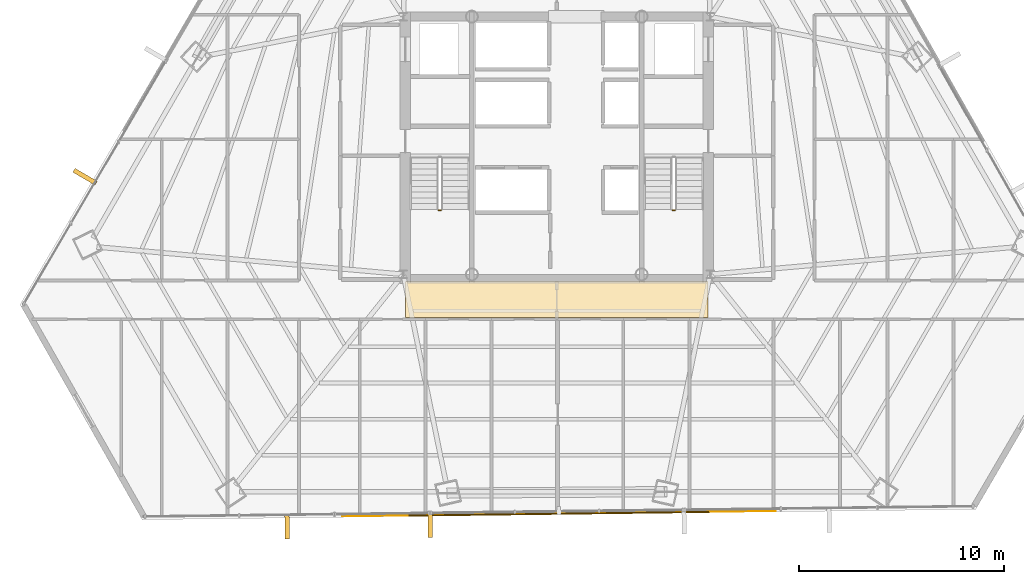
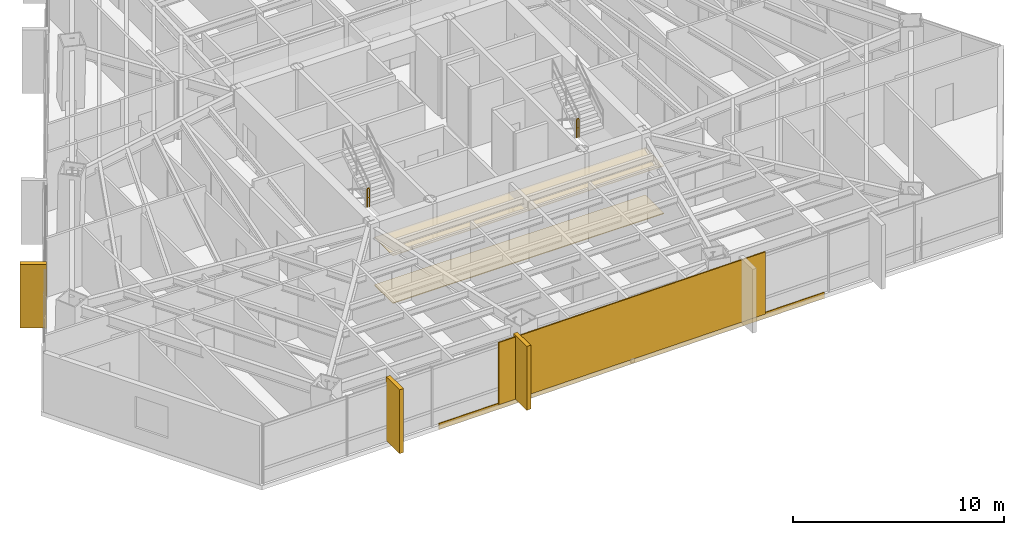
# One storey, part 33 of 35: 6 coverings, 2 railings, 1 shading device.
"""IFC4 building model written with IfcOpenShell, lengths in metres."""

from ifc_helpers import new_model, si_unit, direction, frame, origin, origin_2d, place, context, subcontext, project, spatial, polyline, rectangle, outline, extrude, source, transform, mapped, material, layer, layer_set, type_object, type_shapes, element, save


model = new_model("IFC4")

# Units and contexts
model_context = context("Model", 3, precision=1e-05, world=origin(), true_north=direction((0.0, 1.0)))
body_context = subcontext(model_context, "Body", "Model", "MODEL_VIEW")
ifc_project = project(units=[si_unit("LENGTHUNIT", "METRE"), si_unit("AREAUNIT", "SQUARE_METRE"), si_unit("VOLUMEUNIT", "CUBIC_METRE"), si_unit("PLANEANGLEUNIT", "RADIAN"), si_unit("MASSUNIT", "GRAM", prefix="KILO")], contexts=[model_context])

# Site, building, storey
site_placement = place(None, origin())
site = spatial("IfcSite", under=ifc_project, at=site_placement, CompositionType="ELEMENT")
building_placement = place(site_placement, origin())
building = spatial("IfcBuilding", under=site, at=building_placement, Name="Caelisora Broadcast Tower", CompositionType="ELEMENT")
storey_placement = place(building_placement, frame((0.0, 0.0, 123.64990234375)))
storey = spatial("IfcBuildingStorey", under=building, at=storey_placement, Name="L32", CompositionType="ELEMENT", Elevation=123.64990234375)

# Coverings
ifc_material_1 = material(Name="Perforated Mineral-Fibre Acoustic Ceiling Tile", Category="gypsum")
ifc_layer_1 = layer(ifc_material_1, 0.034912109375, Name="Perforated Mineral-Fibre Acoustic Ceiling Tile")
ifc_layer_set_1 = layer_set([ifc_layer_1], Name="Perforated Mineral-Fibre Acoustic Ceiling Tile")
covering_type_1 = type_object("IfcCoveringType", Name="CE-1", PredefinedType="CEILING", material=ifc_layer_set_1)
covering_1_placement = place(storey_placement, frame((0.0, 0.0, 2.75)))
element("IfcCovering", 1, at=covering_1_placement, inside=storey, type_object=covering_type_1, Name="L32 acoustic corridor ceiling CE-1 (S)", PredefinedType="CEILING", context=body_context, shape_type="SweptSolid", body=[
    extrude(outline(polyline([(30.60009765625, 15.300048828125), (45.39990234375, 15.300048828125), (45.39990234375, 17.050048828125), (30.60009765625, 17.050048828125), (30.60009765625, 15.300048828125)])), origin(), (0.0, 0.0, 1.0), 0.03515625),
])
ifc_material_2 = material(Name="Anti-Static Broadcast Raised Access Floor Panel", Category="steel")
ifc_layer_2 = layer(ifc_material_2, 0.044921875, Name="Anti-Static Broadcast Raised Access Floor Panel")
ifc_layer_set_2 = layer_set([ifc_layer_2], Name="Anti-Static Broadcast Raised Access Floor Panel")
covering_type_2 = type_object("IfcCoveringType", Name="FL-1", PredefinedType="FLOORING", material=ifc_layer_set_2)
covering_2_placement = place(storey_placement, origin())
element("IfcCovering", 2, at=covering_2_placement, inside=storey, type_object=covering_type_2, Name="L32 broadcast raised access floor FL-1 (S)", PredefinedType="FLOORING", context=body_context, shape_type="SweptSolid", body=[
    extrude(outline(polyline([(30.60009765625, 15.300048828125), (45.39990234375, 15.300048828125), (45.39990234375, 17.050048828125), (30.60009765625, 17.050048828125), (30.60009765625, 15.300048828125)])), origin(), (0.0, 0.0, 1.0), 0.045166015625),
])

# Railings
ifc_material_3 = material(Name="Galvanised Steel Safety Guardrail", Category="steel")
ifc_layer_3 = layer(ifc_material_3, 0.048095703125, Name="Galvanised Steel Safety Guardrail")
ifc_layer_set_3 = layer_set([ifc_layer_3], Name="Galvanised Steel Safety Guardrail")
railing_type = type_object("IfcRailingType", Name="GR-1", PredefinedType="GUARDRAIL", material=ifc_layer_set_3)
for number, where, name in (
    (3, (32.219970703125, 20.530029296875, 1.8251953125), "L32 ST-1 stair guard 2"),
    (4, (43.659912109375, 20.530029296875, 1.8251953125), "L32 ST-2 stair guard 2"),
):
    element("IfcRailing", number, at=place(storey_placement, frame(where)), inside=storey, type_object=railing_type, Name=name, PredefinedType="GUARDRAIL", context=body_context, shape_type="SweptSolid", body=[
        extrude(rectangle(XDim=0.048095703125, YDim=0.048095703125, at=origin_2d()), frame((0.0, 0.0, 1.076171875), z_axis=(1.0, 0.0, 0.0), x_axis=(0.0, 1.0, 0.0)), (0.0, 0.0, 1.0), 0.1201171875),
        extrude(rectangle(XDim=0.03125, YDim=0.03125, at=origin_2d()), frame((0.0, 0.0, 0.550048828125), z_axis=(1.0, 0.0, 0.0), x_axis=(0.0, 1.0, 0.0)), (0.0, 0.0, 1.0), 0.1201171875),
        extrude(rectangle(XDim=0.0419921875, YDim=0.0419921875, at=origin_2d()), origin(), (0.0, 0.0, 1.0), 1.052001953125),
        extrude(rectangle(XDim=0.0419921875, YDim=0.0419921875, at=origin_2d()), frame((0.1201171875, 0.0, 0.0)), (0.0, 0.0, 1.0), 1.052001953125),
    ])

# Coverings
ifc_material_4 = material(Name="Kiln-Fired Terracotta Spandrel Rainscreen Cladding", Category="ceramic")
ifc_layer_4 = layer(ifc_material_4, 0.044921875, Name="Kiln-Fired Terracotta Spandrel Rainscreen Cladding")
ifc_layer_set_4 = layer_set([ifc_layer_4], Name="Kiln-Fired Terracotta Spandrel Rainscreen Cladding")
covering_type_3 = type_object("IfcCoveringType", Name="CL-1", PredefinedType="CLADDING", material=ifc_layer_set_4)
shared_shape_1 = source(origin(), body_context, "Body", "SweptSolid", [
    extrude(rectangle(XDim=0.219970703125, YDim=1.25, at=origin_2d()), origin(), (0.0, 0.0, 1.0), 3.68994140625),
])
for number, where, z_axis, x_axis, name in (
    (5, (31.810302734375, 5.16650390625, -0.019775390625), (0.0, 0.0, 1.0), (-0.999923222162, -0.012391520548, 0.0), "L32 vertical solar fin cladding #2-3"),
    (6, (24.817138671875, 5.0791015625, -0.019775390625), (0.0, 0.0, 1.0), (-0.999923222162, -0.012391520548, 0.0), "L32 vertical solar fin cladding #2-4"),
    (7, (14.935302734375, 22.173095703125, -0.019775390625), (0.0, 0.0, 1.0), (0.504527623815, 0.863395550607, 0.0), "L32 vertical solar fin cladding #3-1"),
):
    element("IfcCovering", number, at=place(storey_placement, frame(where, z_axis=z_axis, x_axis=x_axis)), inside=storey, type_object=covering_type_3, Name=name, PredefinedType="CLADDING", context=body_context, shape_type="MappedRepresentation", body=[
        mapped(shared_shape_1, transform((0.0, 0.0, 0.0), scale=1.0)),
    ])

# Shading device
ifc_material_5 = material(Name="Perforated Glazed Terracotta Baguette Solar Screen", Category="ceramic")
ifc_layer_5 = layer(ifc_material_5, 0.06494140625, Name="Perforated Glazed Terracotta Baguette Solar Screen")
ifc_layer_set_5 = layer_set([ifc_layer_5], Name="Perforated Glazed Terracotta Baguette Solar Screen")
shading_device_type = type_object("IfcShadingDeviceType", Name="SS-1", PredefinedType="USERDEFINED", material=ifc_layer_set_5)
shared_shape_2 = source(origin(), body_context, "Body", "SweptSolid", [
    extrude(rectangle(XDim=14.674072265625, YDim=0.06494140625, at=origin_2d()), origin(), (0.0, 0.0, 1.0), 3.590087890625),
])
type_shapes(shading_device_type, [shared_shape_2])
shading_device_placement = place(storey_placement, frame((38.10791015625, 5.695068359375, 0.0), z_axis=(0.0, 0.0, 1.0), x_axis=(0.999923222162, 0.012391520548, 0.0)))
element("IfcShadingDevice", 8, at=shading_device_placement, inside=storey, type_object=shading_device_type, Name="L32 perforated terracotta solar screen #2", ObjectType="SOLAR SCREEN", PredefinedType="USERDEFINED", context=body_context, shape_type="MappedRepresentation", body=[
    mapped(shared_shape_2, transform((0.0, 0.0, 0.0), scale=1.0)),
])

# Covering
shared_shape_3 = source(origin(), body_context, "Body", "SweptSolid", [
    extrude(rectangle(XDim=21.195068359375, YDim=0.044921875, at=origin_2d()), origin(), (0.0, 0.0, 1.0), 0.340087890625),
])
type_shapes(covering_type_3, [shared_shape_1, shared_shape_3])
covering_3_placement = place(storey_placement, frame((38.10791015625, 5.715087890625, -0.27001953125), z_axis=(0.0, 0.0, 1.0), x_axis=(0.999923222162, 0.012391520548, 0.0)))
element("IfcCovering", 9, at=covering_3_placement, inside=storey, type_object=covering_type_3, Name="L32 terracotta spandrel rainscreen #2", PredefinedType="CLADDING", context=body_context, shape_type="MappedRepresentation", body=[
    mapped(shared_shape_3, transform((0.0, 0.0, 0.0), scale=1.0)),
])

save(model, "model.ifc")
